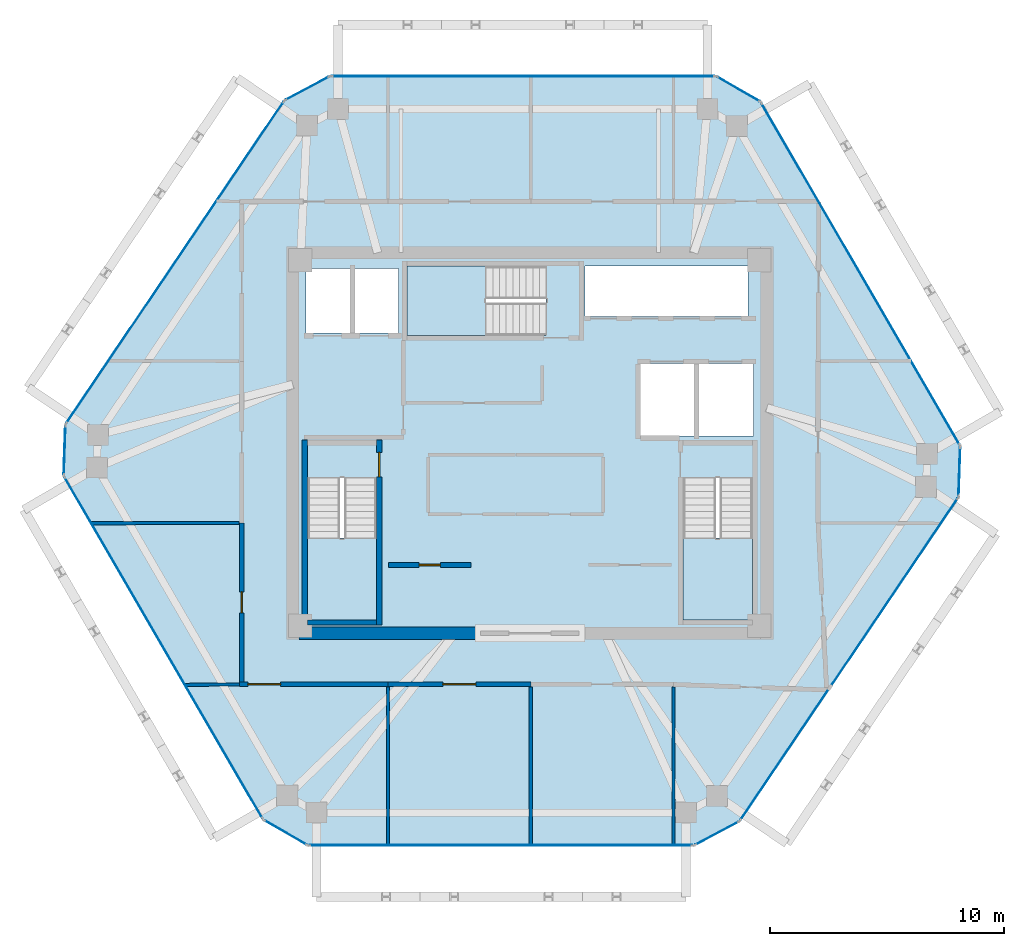
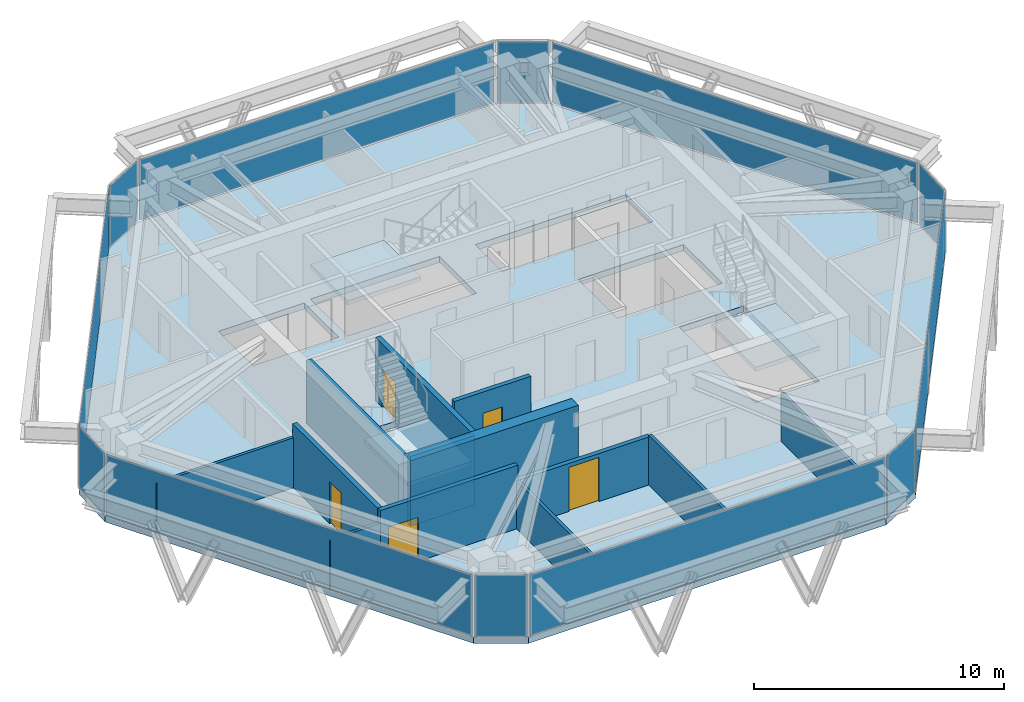
# One storey, part 7 of 11: 13 walls, 12 plates, 5 doors, 4 slabs, 5 openings, 15 elements without a shape of their own.
"""IFC4 building model written with IfcOpenShell, lengths in metres."""

from ifc_helpers import new_model, si_unit, direction, frame, frame_2d, origin, origin_2d, place, context, subcontext, project, spatial, polyline, rectangle, outline, extrude, source, transform, mapped, material, layer, layer_set, type_object, type_shapes, element, fill, aggregate, save


model = new_model("IFC4")

# Units and contexts
model_context = context("Model", 3, precision=1e-05, world=origin(), true_north=direction((0.0, 1.0)))
body_context = subcontext(model_context, "Body", "Model", "MODEL_VIEW")
ifc_project = project(units=[si_unit("LENGTHUNIT", "METRE"), si_unit("AREAUNIT", "SQUARE_METRE"), si_unit("VOLUMEUNIT", "CUBIC_METRE"), si_unit("PLANEANGLEUNIT", "RADIAN"), si_unit("MASSUNIT", "GRAM", prefix="KILO")], contexts=[model_context])

# Site, building, storey
site_placement = place(None, origin())
site = spatial("IfcSite", under=ifc_project, at=site_placement, CompositionType="ELEMENT")
building_placement = place(site_placement, origin())
building = spatial("IfcBuilding", under=site, at=building_placement, Name="Durnholm Broadcast Tower", CompositionType="ELEMENT")
storey_placement = place(building_placement, frame((0.0, 0.0, 264.89990234375)))
storey = spatial("IfcBuildingStorey", under=building, at=storey_placement, Name="L74", CompositionType="ELEMENT", Elevation=264.89990234375)

# Slab
ifc_material_1 = material(Name="Concrete C50/60", Category="concrete")
ifc_layer_1 = layer(ifc_material_1, 0.300048828125)
ifc_layer_set_1 = layer_set([ifc_layer_1], Name="Concrete C50/60")
slab_type_1 = type_object("IfcSlabType", Name="SLAB-FLR-300", PredefinedType="FLOOR", material=ifc_layer_set_1)
slab_1_placement = place(storey_placement, frame((0.0, 0.0, -0.2998046875)))
element("IfcSlab", 1, at=slab_1_placement, inside=storey, type_object=slab_type_1, Name="L74 structural floor slab", PredefinedType="FLOOR", context=body_context, shape_type="SweptSolid", body=[
    extrude(outline(polyline([(-11.384521484375, -16.088134765625), (-9.47802734375, -17.18603515625), (7.012451171875, -17.18603515625), (8.955322265625, -16.154296875), (18.307861328125, -2.3203125), (18.38330078125, -0.12158203125), (9.8603515625, 14.564208984375), (7.9541015625, 15.662109375), (-8.536376953125, 15.662109375), (-10.4794921875, 14.630126953125), (-19.831787109375, 0.79638671875), (-19.9072265625, -1.40234375), (-11.384521484375, -16.088134765625)]), holes=[polyline([(-6.5400390625, -1.5), (-9.5, -1.5), (-9.5, -7.550048828125), (-6.5400390625, -7.550048828125), (-6.5400390625, -1.5)]), polyline([(9.5, -7.550048828125), (9.5, -1.5), (6.5400390625, -1.5), (6.5400390625, -7.550048828125), (9.5, -7.550048828125)]), polyline([(9.550048828125, 3.39990234375), (4.699951171875, 3.39990234375), (4.699951171875, 0.300048828125), (9.550048828125, 0.300048828125), (9.550048828125, 3.39990234375)]), polyline([(-9.550048828125, 7.449951171875), (-9.550048828125, 4.699951171875), (-5.60009765625, 4.699951171875), (-5.60009765625, 7.449951171875), (-9.550048828125, 7.449951171875)]), polyline([(-5.25, 4.60009765625), (0.699951171875, 4.60009765625), (0.699951171875, 7.56005859375), (-5.25, 7.56005859375), (-5.25, 4.60009765625)]), polyline([(9.31005859375, 7.550048828125), (2.35009765625, 7.550048828125), (2.35009765625, 5.39990234375), (9.31005859375, 5.39990234375), (9.31005859375, 7.550048828125)])]), origin(), (0.0, 0.0, 1.0), 0.2998046875),
])

# Stair, slab
stair_type = type_object("IfcStairType", Name="STAIR-DL-20R1700", PredefinedType="HALF_TURN_STAIR", material=ifc_material_1)
stair_1_placement = place(storey_placement, origin())
stair_1 = element("IfcStair", 2, at=stair_1_placement, inside=storey, type_object=stair_type, Name="L74 ST-1", PredefinedType="HALF_TURN_STAIR")
ifc_layer_2 = layer(ifc_material_1, 0.199951171875)
ifc_layer_set_2 = layer_set([ifc_layer_2], Name="Concrete C50/60")
slab_type_2 = type_object("IfcSlabType", Name="SLAB-LND-200", PredefinedType="LANDING", material=ifc_layer_set_2)
slab_2_placement = place(storey_placement, frame((0.0, 0.0, 1.5)))
slab_2 = element("IfcSlab", 3, at=slab_2_placement, type_object=slab_type_2, Name="ST-1 landing 1", PredefinedType="LANDING", context=body_context, shape_type="SweptSolid", body=[
    extrude(outline(polyline([(-9.5, -4.06494140625), (-9.5, -7.550048828125), (-6.5400390625, -7.550048828125), (-6.5400390625, -4.06494140625), (-9.5, -4.06494140625)])), origin(), (0.0, 0.0, 1.0), 0.2001953125),
])
aggregate(stair_1, [slab_2])

stair_2_placement = place(storey_placement, origin())
stair_2 = element("IfcStair", 4, at=stair_2_placement, inside=storey, type_object=stair_type, Name="L74 ST-2", PredefinedType="HALF_TURN_STAIR")
slab_3_placement = place(storey_placement, frame((0.0, 0.0, 1.5)))
slab_3 = element("IfcSlab", 5, at=slab_3_placement, type_object=slab_type_2, Name="ST-2 landing 1", PredefinedType="LANDING", context=body_context, shape_type="SweptSolid", body=[
    extrude(outline(polyline([(6.5400390625, -4.06494140625), (6.5400390625, -7.550048828125), (9.5, -7.550048828125), (9.5, -4.06494140625), (6.5400390625, -4.06494140625)])), origin(), (0.0, 0.0, 1.0), 0.2001953125),
])
aggregate(stair_2, [slab_3])

stair_3_placement = place(storey_placement, origin())
stair_3 = element("IfcStair", 6, at=stair_3_placement, inside=storey, type_object=stair_type, Name="L74 ST-3", PredefinedType="HALF_TURN_STAIR")
slab_4_placement = place(storey_placement, frame((0.0, 0.0, 1.5)))
slab_4 = element("IfcSlab", 7, at=slab_4_placement, type_object=slab_type_2, Name="ST-3 landing 1", PredefinedType="LANDING", context=body_context, shape_type="SweptSolid", body=[
    extrude(outline(polyline([(-1.864990234375, 7.56005859375), (-5.25, 7.56005859375), (-5.25, 4.60009765625), (-1.864990234375, 4.60009765625), (-1.864990234375, 7.56005859375)])), origin(), (0.0, 0.0, 1.0), 0.2001953125),
])
aggregate(stair_3, [slab_4])

# Curtain wall, plate
ifc_material_2 = material(Name="Aluminium and Solar Control IGU", Category="aluminium")
ifc_layer_3 = layer(ifc_material_2, 0.1650390625)
ifc_layer_set_3 = layer_set([ifc_layer_3], Name="Aluminium and Solar Control IGU")
curtain_wall_type_1 = type_object("IfcCurtainWallType", Name="CW-SYS-5", PredefinedType="NOTDEFINED", material=ifc_layer_set_3)
curtain_wall_1_placement = place(storey_placement, origin())
curtain_wall_1 = element("IfcCurtainWall", 8, at=curtain_wall_1_placement, inside=storey, type_object=curtain_wall_type_1, Name="L74 curtain wall CW-CORNER CW-L74-CRN-01", PredefinedType="NOTDEFINED")
ifc_material_3 = material(Name="Low-E Laminated Insulating Glass", Category="glass")
ifc_layer_4 = layer(ifc_material_3, 0.030029296875)
ifc_layer_set_4 = layer_set([ifc_layer_4], Name="Low-E Laminated Insulating Glass")
plate_type_1 = type_object("IfcPlateType", Name="CW-SYS-5-PNL", PredefinedType="CURTAIN_PANEL", material=ifc_layer_set_4)
shared_shape_1 = source(origin(), body_context, "Body", "SweptSolid", [
    extrude(rectangle(XDim=2.070068359375, YDim=0.030029296875, at=origin_2d()), origin(), (0.0, 0.0, 1.0), 2.969970703125),
])
plate_1_placement = place(storey_placement, frame((-19.86962890625, -0.302978515625, 0.06494140625), z_axis=(0.0, 0.0, 1.0), x_axis=(0.034318245849, 0.999410955514, 0.0)))
plate_1 = element("IfcPlate", 9, at=plate_1_placement, type_object=plate_type_1, Name="CW-CORNER panel 1.1", PredefinedType="CURTAIN_PANEL", context=body_context, shape_type="MappedRepresentation", body=[
    mapped(shared_shape_1, transform((0.0, 0.0, 0.0), x_axis=(1.0, 0.0, 0.0), y_axis=(0.0, 1.0, 0.0), z_axis=(0.0, 0.0, 1.0), scale=1.0)),
])
aggregate(curtain_wall_1, [plate_1])

curtain_wall_2_placement = place(storey_placement, origin())
curtain_wall_2 = element("IfcCurtainWall", 10, at=curtain_wall_2_placement, inside=storey, type_object=curtain_wall_type_1, Name="L74 curtain wall CW-CORNER CW-L74-CRN-03", PredefinedType="NOTDEFINED")
plate_2_placement = place(storey_placement, frame((-9.5078125, 15.14599609375, 0.06494140625), z_axis=(0.0, 0.0, 1.0), x_axis=(0.883194569853, 0.469006771575, 0.0)))
plate_2 = element("IfcPlate", 11, at=plate_2_placement, type_object=plate_type_1, Name="CW-CORNER panel 1.1", PredefinedType="CURTAIN_PANEL", context=body_context, shape_type="MappedRepresentation", body=[
    mapped(shared_shape_1, transform((0.0, 0.0, 0.0), x_axis=(1.0, 0.0, 0.0), y_axis=(0.0, 1.0, 0.0), z_axis=(0.0, 0.0, 1.0), scale=1.0)),
])
aggregate(curtain_wall_2, [plate_2])

curtain_wall_3_placement = place(storey_placement, origin())
curtain_wall_3 = element("IfcCurtainWall", 12, at=curtain_wall_3_placement, inside=storey, type_object=curtain_wall_type_1, Name="L74 curtain wall CW-CORNER CW-L74-CRN-07", PredefinedType="NOTDEFINED")
plate_3_placement = place(storey_placement, frame((18.345458984375, -1.220947265625, 0.06494140625), z_axis=(0.0, 0.0, 1.0), x_axis=(-0.034318245849, -0.999410955514, 0.0)))
plate_3 = element("IfcPlate", 13, at=plate_3_placement, type_object=plate_type_1, Name="CW-CORNER panel 1.1", PredefinedType="CURTAIN_PANEL", context=body_context, shape_type="MappedRepresentation", body=[
    mapped(shared_shape_1, transform((0.0, 0.0, 0.0), x_axis=(1.0, 0.0, 0.0), y_axis=(0.0, 1.0, 0.0), z_axis=(0.0, 0.0, 1.0), scale=1.0)),
])
aggregate(curtain_wall_3, [plate_3])

curtain_wall_4_placement = place(storey_placement, origin())
curtain_wall_4 = element("IfcCurtainWall", 14, at=curtain_wall_4_placement, inside=storey, type_object=curtain_wall_type_1, Name="L74 curtain wall CW-CORNER CW-L74-CRN-09", PredefinedType="NOTDEFINED")
plate_4_placement = place(storey_placement, frame((7.98388671875, -16.670166015625, 0.06494140625), z_axis=(0.0, 0.0, 1.0), x_axis=(-0.883194569853, -0.469006771575, 0.0)))
plate_4 = element("IfcPlate", 15, at=plate_4_placement, type_object=plate_type_1, Name="CW-CORNER panel 1.1", PredefinedType="CURTAIN_PANEL", context=body_context, shape_type="MappedRepresentation", body=[
    mapped(shared_shape_1, transform((0.0, 0.0, 0.0), x_axis=(1.0, 0.0, 0.0), y_axis=(0.0, 1.0, 0.0), z_axis=(0.0, 0.0, 1.0), scale=1.0)),
])
aggregate(curtain_wall_4, [plate_4])

ifc_layer_5 = layer(ifc_material_2, 0.18994140625)
ifc_layer_set_5 = layer_set([ifc_layer_5], Name="Aluminium and Solar Control IGU")
curtain_wall_type_2 = type_object("IfcCurtainWallType", Name="CW-SYS-4", PredefinedType="NOTDEFINED", material=ifc_layer_set_5)
curtain_wall_5_placement = place(storey_placement, origin())
curtain_wall_5 = element("IfcCurtainWall", 16, at=curtain_wall_5_placement, inside=storey, type_object=curtain_wall_type_2, Name="L74 curtain wall CW-Z34-VIS CW-L74-F02", PredefinedType="NOTDEFINED")
ifc_layer_6 = layer(ifc_material_3, 0.033935546875)
ifc_layer_set_6 = layer_set([ifc_layer_6], Name="Low-E Laminated Insulating Glass")
plate_type_2 = type_object("IfcPlateType", Name="CW-SYS-4-PNL", PredefinedType="CURTAIN_PANEL", material=ifc_layer_set_6)
shared_shape_2 = source(origin(), body_context, "Body", "SweptSolid", [
    extrude(rectangle(XDim=16.55859375, YDim=0.033935546875, at=origin_2d()), origin(), (0.0, 0.0, 1.0), 2.9599609375),
])
plate_5_placement = place(storey_placement, frame((-15.155517578125, 7.71337890625, 0.070068359375), z_axis=(0.0, 0.0, 1.0), x_axis=(0.560072745753, 0.828443431662, 0.0)))
plate_5 = element("IfcPlate", 17, at=plate_5_placement, type_object=plate_type_2, Name="CW-Z34-VIS panel 1.1", PredefinedType="CURTAIN_PANEL", context=body_context, shape_type="MappedRepresentation", body=[
    mapped(shared_shape_2, transform((0.0, 0.0, 0.0), x_axis=(1.0, 0.0, 0.0), y_axis=(0.0, 1.0, 0.0), z_axis=(0.0, 0.0, 1.0), scale=1.0)),
])
aggregate(curtain_wall_5, [plate_5])

curtain_wall_6_placement = place(storey_placement, origin())
curtain_wall_6 = element("IfcCurtainWall", 18, at=curtain_wall_6_placement, inside=storey, type_object=curtain_wall_type_2, Name="L74 curtain wall CW-Z34-VIS CW-L74-F08", PredefinedType="NOTDEFINED")
plate_6_placement = place(storey_placement, frame((13.631591796875, -9.2373046875, 0.070068359375), z_axis=(0.0, 0.0, 1.0), x_axis=(-0.560072745753, -0.828443431662, 0.0)))
plate_6 = element("IfcPlate", 19, at=plate_6_placement, type_object=plate_type_2, Name="CW-Z34-VIS panel 1.1", PredefinedType="CURTAIN_PANEL", context=body_context, shape_type="MappedRepresentation", body=[
    mapped(shared_shape_2, transform((0.0, 0.0, 0.0), x_axis=(1.0, 0.0, 0.0), y_axis=(0.0, 1.0, 0.0), z_axis=(0.0, 0.0, 1.0), scale=1.0)),
])
aggregate(curtain_wall_6, [plate_6])

curtain_wall_7_placement = place(storey_placement, origin())
curtain_wall_7 = element("IfcCurtainWall", 20, at=curtain_wall_7_placement, inside=storey, type_object=curtain_wall_type_2, Name="L74 curtain wall CW-Z34-VIS CW-L74-F04", PredefinedType="NOTDEFINED")
shared_shape_3 = source(origin(), body_context, "Body", "SweptSolid", [
    extrude(rectangle(XDim=16.350341796875, YDim=0.033935546875, at=origin_2d()), origin(), (0.0, 0.0, 1.0), 2.9599609375),
])
plate_7_placement = place(storey_placement, frame((-0.291259765625, 15.662109375, 0.070068359375), z_axis=(0.0, 0.0, 1.0), x_axis=(1.0, 0.0, 0.0)))
plate_7 = element("IfcPlate", 21, at=plate_7_placement, type_object=plate_type_2, Name="CW-Z34-VIS panel 1.1", PredefinedType="CURTAIN_PANEL", context=body_context, shape_type="MappedRepresentation", body=[
    mapped(shared_shape_3, transform((0.0, 0.0, 0.0), x_axis=(1.0, 0.0, 0.0), y_axis=(0.0, 1.0, 0.0), z_axis=(0.0, 0.0, 1.0), scale=1.0)),
])
aggregate(curtain_wall_7, [plate_7])

curtain_wall_8_placement = place(storey_placement, origin())
curtain_wall_8 = element("IfcCurtainWall", 22, at=curtain_wall_8_placement, inside=storey, type_object=curtain_wall_type_2, Name="L74 curtain wall CW-Z34-VIS CW-L74-F10", PredefinedType="NOTDEFINED")
plate_8_placement = place(storey_placement, frame((-1.23291015625, -17.18603515625, 0.070068359375), z_axis=(0.0, 0.0, 1.0), x_axis=(-1.0, 0.0, 0.0)))
plate_8 = element("IfcPlate", 23, at=plate_8_placement, type_object=plate_type_2, Name="CW-Z34-VIS panel 1.1", PredefinedType="CURTAIN_PANEL", context=body_context, shape_type="MappedRepresentation", body=[
    mapped(shared_shape_3, transform((0.0, 0.0, 0.0), x_axis=(1.0, 0.0, 0.0), y_axis=(0.0, 1.0, 0.0), z_axis=(0.0, 0.0, 1.0), scale=1.0)),
])
aggregate(curtain_wall_8, [plate_8])

curtain_wall_9_placement = place(storey_placement, origin())
curtain_wall_9 = element("IfcCurtainWall", 24, at=curtain_wall_9_placement, inside=storey, type_object=curtain_wall_type_1, Name="L74 curtain wall CW-CORNER CW-L74-CRN-05", PredefinedType="NOTDEFINED")
shared_shape_4 = source(origin(), body_context, "Body", "SweptSolid", [
    extrude(rectangle(XDim=2.06982421875, YDim=0.030029296875, at=origin_2d()), origin(), (0.0, 0.0, 1.0), 2.969970703125),
])
type_shapes(plate_type_1, [shared_shape_1, shared_shape_4])
plate_9_placement = place(storey_placement, frame((8.9072265625, 15.113037109375, 0.06494140625), z_axis=(0.0, 0.0, 1.0), x_axis=(0.866568249707, -0.499058582333, 0.0)))
plate_9 = element("IfcPlate", 25, at=plate_9_placement, type_object=plate_type_1, Name="CW-CORNER panel 1.1", PredefinedType="CURTAIN_PANEL", context=body_context, shape_type="MappedRepresentation", body=[
    mapped(shared_shape_4, transform((0.0, 0.0, 0.0), x_axis=(1.0, 0.0, 0.0), y_axis=(0.0, 1.0, 0.0), z_axis=(0.0, 0.0, 1.0), scale=1.0)),
])
aggregate(curtain_wall_9, [plate_9])

curtain_wall_10_placement = place(storey_placement, origin())
curtain_wall_10 = element("IfcCurtainWall", 26, at=curtain_wall_10_placement, inside=storey, type_object=curtain_wall_type_1, Name="L74 curtain wall CW-CORNER CW-L74-CRN-11", PredefinedType="NOTDEFINED")
plate_10_placement = place(storey_placement, frame((-10.43115234375, -16.636962890625, 0.06494140625), z_axis=(0.0, 0.0, 1.0), x_axis=(-0.866568249707, 0.499058582333, 0.0)))
plate_10 = element("IfcPlate", 27, at=plate_10_placement, type_object=plate_type_1, Name="CW-CORNER panel 1.1", PredefinedType="CURTAIN_PANEL", context=body_context, shape_type="MappedRepresentation", body=[
    mapped(shared_shape_4, transform((0.0, 0.0, 0.0), x_axis=(1.0, 0.0, 0.0), y_axis=(0.0, 1.0, 0.0), z_axis=(0.0, 0.0, 1.0), scale=1.0)),
])
aggregate(curtain_wall_10, [plate_10])

curtain_wall_11_placement = place(storey_placement, origin())
curtain_wall_11 = element("IfcCurtainWall", 28, at=curtain_wall_11_placement, inside=storey, type_object=curtain_wall_type_2, Name="L74 curtain wall CW-Z34-VIS CW-L74-F06", PredefinedType="NOTDEFINED")
shared_shape_5 = source(origin(), body_context, "Body", "SweptSolid", [
    extrude(rectangle(XDim=16.83984375, YDim=0.033935546875, at=origin_2d()), origin(), (0.0, 0.0, 1.0), 2.9599609375),
])
type_shapes(plate_type_2, [shared_shape_2, shared_shape_3, shared_shape_5])
plate_11_placement = place(storey_placement, frame((14.121826171875, 7.22119140625, 0.070068359375), z_axis=(0.0, 0.0, 1.0), x_axis=(0.50194441023, -0.864899883824, 0.0)))
plate_11 = element("IfcPlate", 29, at=plate_11_placement, type_object=plate_type_2, Name="CW-Z34-VIS panel 1.1", PredefinedType="CURTAIN_PANEL", context=body_context, shape_type="MappedRepresentation", body=[
    mapped(shared_shape_5, transform((0.0, 0.0, 0.0), x_axis=(1.0, 0.0, 0.0), y_axis=(0.0, 1.0, 0.0), z_axis=(0.0, 0.0, 1.0), scale=1.0)),
])
aggregate(curtain_wall_11, [plate_11])

curtain_wall_12_placement = place(storey_placement, origin())
curtain_wall_12 = element("IfcCurtainWall", 30, at=curtain_wall_12_placement, inside=storey, type_object=curtain_wall_type_2, Name="L74 curtain wall CW-Z34-VIS CW-L74-F12", PredefinedType="NOTDEFINED")
plate_12_placement = place(storey_placement, frame((-15.645751953125, -8.7451171875, 0.070068359375), z_axis=(0.0, 0.0, 1.0), x_axis=(-0.50194441023, 0.864899883824, 0.0)))
plate_12 = element("IfcPlate", 31, at=plate_12_placement, type_object=plate_type_2, Name="CW-Z34-VIS panel 1.1", PredefinedType="CURTAIN_PANEL", context=body_context, shape_type="MappedRepresentation", body=[
    mapped(shared_shape_5, transform((0.0, 0.0, 0.0), x_axis=(1.0, 0.0, 0.0), y_axis=(0.0, 1.0, 0.0), z_axis=(0.0, 0.0, 1.0), scale=1.0)),
])
aggregate(curtain_wall_12, [plate_12])

# Wall
ifc_material_4 = material(Name="Concrete C70/85", Category="concrete")
ifc_layer_7 = layer(ifc_material_4, 0.550048828125)
ifc_layer_set_7 = layer_set([ifc_layer_7], Name="Concrete C70/85")
wall_type_1 = type_object("IfcWallType", Name="WALL-CW-550", PredefinedType="SHEAR", material=ifc_layer_set_7)
wall_1_placement = place(storey_placement, frame((-9.85009765625, -8.125, 0.0), z_axis=(0.0, 0.0, 1.0), x_axis=(1.0, 0.0, 0.0)))
element("IfcWall", 32, at=wall_1_placement, inside=storey, type_object=wall_type_1, Name="L74 central core shear wall CW-S1", PredefinedType="SHEAR", context=body_context, shape_type="SweptSolid", body=[
    extrude(rectangle(XDim=7.75, YDim=0.550048828125, at=frame_2d((3.875, 0.0))), origin(), (0.0, 0.0, 1.0), 3.400146484375),
])

# Wall, opening, door
ifc_material_5 = material(Name="Fire-Rated Gypsum Shaftwall", Category="concrete")
ifc_layer_8 = layer(ifc_material_5, 0.199951171875)
ifc_layer_set_8 = layer_set([ifc_layer_8], Name="Fire-Rated Gypsum Shaftwall")
wall_type_2 = type_object("IfcWallType", Name="WALL-LOB-200", PredefinedType="SOLIDWALL", material=ifc_layer_set_8)
wall_2_placement = place(storey_placement, frame((-6.0400390625, -5.2099609375, 0.0), z_axis=(0.0, 0.0, 1.0), x_axis=(1.0, 0.0, 0.0)))
wall_2 = element("IfcWall", 33, at=wall_2_placement, inside=storey, type_object=wall_type_2, Name="L74 Broadcast Signal Rack Room corridor partition", PredefinedType="SOLIDWALL", context=body_context, shape_type="SweptSolid", body=[
    extrude(rectangle(XDim=3.530029296875, YDim=0.199951171875, at=frame_2d((1.76513671875, 0.0))), origin(), (0.0, 0.0, 1.0), 3.085205078125),
])
opening_1_placement = place(wall_2_placement, frame((1.31494140625, 0.0, 0.0)))
opening_1 = element("IfcOpeningElement", 34, at=opening_1_placement, cuts=wall_2, Name="Opening DC-60R", PredefinedType="OPENING", context=body_context, shape_type="SweptSolid", body=[
    extrude(rectangle(XDim=0.89990234375, YDim=2.050048828125, at=frame_2d((0.449951171875, 1.02490234375))), frame((0.0, 0.10986328125, 0.0), z_axis=(0.0, -1.0, 0.0), x_axis=(1.0, 0.0, 0.0)), (0.0, 0.0, 1.0), 0.219970703125),
])
ifc_material_6 = material(Name="Fire-Rated Core Service Door", Category="steel")
ifc_layer_9 = layer(ifc_material_6, 0.050048828125)
ifc_layer_set_9 = layer_set([ifc_layer_9], Name="Fire-Rated Core Service Door")
door_type_1 = type_object("IfcDoorType", Name="DOOR-CORE-FD60-R", OperationType="NOTDEFINED", PredefinedType="DOOR", material=ifc_layer_set_9)
shared_shape_6 = source(origin(), body_context, "Body", "SweptSolid", [
    extrude(rectangle(XDim=0.89990234375, YDim=2.050048828125, at=frame_2d((0.449951171875, 1.02490234375))), frame((0.0, 0.02490234375, 0.0), z_axis=(0.0, -1.0, 0.0), x_axis=(1.0, 0.0, 0.0)), (0.0, 0.0, 1.0), 0.050048828125),
])
type_shapes(door_type_1, [shared_shape_6])
door_1_placement = place(opening_1_placement, origin())
door_1 = element("IfcDoor", 35, at=door_1_placement, inside=storey, type_object=door_type_1, Name="L74 Broadcast Signal Rack Room entrance door", OperationType="SINGLE_SWING_RIGHT", OverallHeight=2.050048828125, OverallWidth=0.89990234375, PredefinedType="DOOR", context=body_context, shape_type="MappedRepresentation", body=[
    mapped(shared_shape_6, transform((0.0, 0.0, 0.0), x_axis=(1.0, 0.0, 0.0), y_axis=(0.0, 1.0, 0.0), z_axis=(0.0, 0.0, 1.0), scale=1.0)),
])
fill(opening_1, door_1)

wall_3_placement = place(storey_placement, frame((-12.389892578125, -10.31005859375, 0.0), z_axis=(0.0, 0.0, 1.0), x_axis=(1.0, 0.0, 0.0)))
wall_3 = element("IfcWall", 36, at=wall_3_placement, inside=storey, type_object=wall_type_2, Name="L74 L74 West Pressurized Refuge Area corridor partition", PredefinedType="SOLIDWALL", context=body_context, shape_type="SweptSolid", body=[
    extrude(rectangle(XDim=6.329833984375, YDim=0.199951171875, at=frame_2d((3.1650390625, 0.0))), origin(), (0.0, 0.0, 1.0), 3.085205078125),
])
opening_2_placement = place(wall_3_placement, frame((0.35009765625, 0.0, 0.0)))
opening_2 = element("IfcOpeningElement", 37, at=opening_2_placement, cuts=wall_3, Name="Opening DPL-140", PredefinedType="OPENING", context=body_context, shape_type="SweptSolid", body=[
    extrude(rectangle(XDim=1.39990234375, YDim=2.14990234375, at=frame_2d((0.699951171875, 1.074951171875))), frame((0.0, 0.10986328125, 0.0), z_axis=(0.0, -1.0, 0.0), x_axis=(1.0, 0.0, 0.0)), (0.0, 0.0, 1.0), 0.219970703125),
])
ifc_material_7 = material(Name="Fire-Rated Mechanical Plant Double Door", Category="steel")
ifc_layer_10 = layer(ifc_material_7, 0.050048828125)
ifc_layer_set_10 = layer_set([ifc_layer_10], Name="Fire-Rated Mechanical Plant Double Door")
door_type_2 = type_object("IfcDoorType", Name="DOOR-PLNT-1400", OperationType="DOUBLE_DOOR_SINGLE_SWING", PredefinedType="DOOR", material=ifc_layer_set_10)
shared_shape_7 = source(origin(), body_context, "Body", "SweptSolid", [
    extrude(rectangle(XDim=1.39990234375, YDim=2.14990234375, at=frame_2d((0.699951171875, 1.074951171875))), frame((0.0, 0.02490234375, 0.0), z_axis=(0.0, -1.0, 0.0), x_axis=(1.0, 0.0, 0.0)), (0.0, 0.0, 1.0), 0.050048828125),
])
type_shapes(door_type_2, [shared_shape_7])
door_2_placement = place(opening_2_placement, origin())
door_2 = element("IfcDoor", 38, at=door_2_placement, inside=storey, type_object=door_type_2, Name="L74 L74 West Pressurized Refuge Area entrance door", OperationType="DOUBLE_DOOR_SINGLE_SWING", OverallHeight=2.14990234375, OverallWidth=1.39990234375, PredefinedType="DOOR", context=body_context, shape_type="MappedRepresentation", body=[
    mapped(shared_shape_7, transform((0.0, 0.0, 0.0), x_axis=(1.0, 0.0, 0.0), y_axis=(0.0, 1.0, 0.0), z_axis=(0.0, 0.0, 1.0), scale=1.0)),
])
fill(opening_2, door_2)

wall_4_placement = place(storey_placement, frame((-6.06005859375, -10.31005859375, 0.0), z_axis=(0.0, 0.0, 1.0), x_axis=(1.0, 0.0, 0.0)))
wall_4 = element("IfcWall", 39, at=wall_4_placement, inside=storey, type_object=wall_type_2, Name="L74 L74 South Pressurized Refuge Area corridor partition", PredefinedType="SOLIDWALL", context=body_context, shape_type="SweptSolid", body=[
    extrude(rectangle(XDim=6.10009765625, YDim=0.199951171875, at=frame_2d((3.050048828125, 0.0))), origin(), (0.0, 0.0, 1.0), 2.341552734375),
])
opening_3_placement = place(wall_4_placement, frame((2.35009765625, 0.0, 0.0)))
opening_3 = element("IfcOpeningElement", 40, at=opening_3_placement, cuts=wall_4, Name="Opening DPL-140", PredefinedType="OPENING", context=body_context, shape_type="SweptSolid", body=[
    extrude(rectangle(XDim=1.39990234375, YDim=2.14990234375, at=frame_2d((0.699951171875, 1.074951171875))), frame((0.0, 0.10986328125, 0.0), z_axis=(0.0, -1.0, 0.0), x_axis=(1.0, 0.0, 0.0)), (0.0, 0.0, 1.0), 0.219970703125),
])
door_3_placement = place(opening_3_placement, origin())
door_3 = element("IfcDoor", 41, at=door_3_placement, inside=storey, type_object=door_type_2, Name="L74 L74 South Pressurized Refuge Area entrance door", OperationType="DOUBLE_DOOR_SINGLE_SWING", OverallHeight=2.14990234375, OverallWidth=1.39990234375, PredefinedType="DOOR", context=body_context, shape_type="MappedRepresentation", body=[
    mapped(shared_shape_7, transform((0.0, 0.0, 0.0), x_axis=(1.0, 0.0, 0.0), y_axis=(0.0, 1.0, 0.0), z_axis=(0.0, 0.0, 1.0), scale=1.0)),
])
fill(opening_3, door_3)

wall_5_placement = place(storey_placement, frame((-12.31005859375, -3.409912109375, 0.0), z_axis=(0.0, 0.0, 1.0), x_axis=(0.0, -1.0, 0.0)))
wall_5 = element("IfcWall", 42, at=wall_5_placement, inside=storey, type_object=wall_type_2, Name="L74 Mechanical Plant Room - Electrical Switchgear West corridor partition", PredefinedType="SOLIDWALL", context=body_context, shape_type="SweptSolid", body=[
    extrude(rectangle(XDim=6.796142578125, YDim=0.199951171875, at=frame_2d((3.39794921875, 0.0))), origin(), (0.0, 0.0, 1.0), 3.085205078125),
])
opening_4_placement = place(wall_5_placement, frame((2.947998046875, 0.0, 0.0)))
opening_4 = element("IfcOpeningElement", 43, at=opening_4_placement, cuts=wall_5, Name="Opening DC-60R", PredefinedType="OPENING", context=body_context, shape_type="SweptSolid", body=[
    extrude(rectangle(XDim=0.89990234375, YDim=2.050048828125, at=frame_2d((0.449951171875, 1.02490234375))), frame((0.0, 0.10986328125, 0.0), z_axis=(0.0, -1.0, 0.0), x_axis=(1.0, 0.0, 0.0)), (0.0, 0.0, 1.0), 0.219970703125),
])
door_4_placement = place(opening_4_placement, origin())
door_4 = element("IfcDoor", 44, at=door_4_placement, inside=storey, type_object=door_type_1, Name="L74 Mechanical Plant Room - Electrical Switchgear West entrance door", OperationType="SINGLE_SWING_RIGHT", OverallHeight=2.050048828125, OverallWidth=0.89990234375, PredefinedType="DOOR", context=body_context, shape_type="MappedRepresentation", body=[
    mapped(shared_shape_6, transform((0.0, 0.0, 0.0), x_axis=(1.0, 0.0, 0.0), y_axis=(0.0, 1.0, 0.0), z_axis=(0.0, 0.0, 1.0), scale=1.0)),
])
fill(opening_4, door_4)

# Walls
ifc_material_8 = material(Name="Gypsum Metal Stud Partition", Category="concrete")
ifc_layer_11 = layer(ifc_material_8, 0.135009765625)
ifc_layer_set_11 = layer_set([ifc_layer_11], Name="Gypsum Metal Stud Partition")
wall_type_3 = type_object("IfcWallType", Name="WALL-PART-135", PredefinedType="PARTITIONING", material=ifc_layer_set_11)
wall_6_placement = place(storey_placement, frame((-6.06005859375, -10.4140625, 0.0), z_axis=(0.0, 0.0, 1.0), x_axis=(0.0, -1.0, 0.0)))
element("IfcWall", 45, at=wall_6_placement, inside=storey, type_object=wall_type_3, Name="L74 room dividing partition 10.11", PredefinedType="PARTITIONING", context=body_context, shape_type="SweptSolid", body=[
    extrude(rectangle(XDim=6.77197265625, YDim=0.135009765625, at=frame_2d((3.385986328125, 0.0))), origin(), (0.0, 0.0, 1.0), 2.341552734375),
])
wall_7_placement = place(storey_placement, frame((-14.72607421875, -10.330078125, 0.0), z_axis=(0.0, 0.0, 1.0), x_axis=(0.99996592241, 0.008255544766, 0.0)))
element("IfcWall", 46, at=wall_7_placement, inside=storey, type_object=wall_type_3, Name="L74 room dividing partition 10.17", PredefinedType="PARTITIONING", context=body_context, shape_type="SweptSolid", body=[
    extrude(rectangle(XDim=2.336181640625, YDim=0.135009765625, at=frame_2d((1.16796875, 0.0))), origin(), (0.0, 0.0, 1.0), 2.43896484375),
])
wall_8_placement = place(storey_placement, frame((0.0400390625, -10.4140625, 0.0), z_axis=(0.0, 0.0, 1.0), x_axis=(0.0, -1.0, 0.0)))
element("IfcWall", 47, at=wall_8_placement, inside=storey, type_object=wall_type_3, Name="L74 room dividing partition 11.12", PredefinedType="PARTITIONING", context=body_context, shape_type="SweptSolid", body=[
    extrude(rectangle(XDim=6.77197265625, YDim=0.135009765625, at=frame_2d((3.385986328125, 0.0))), origin(), (0.0, 0.0, 1.0), 2.43896484375),
])
wall_9_placement = place(storey_placement, frame((6.139892578125, -10.4169921875, 0.0), z_axis=(0.0, 0.0, 1.0), x_axis=(0.0, -1.0, 0.0)))
element("IfcWall", 48, at=wall_9_placement, inside=storey, type_object=wall_type_3, Name="L74 room dividing partition 12.13", PredefinedType="PARTITIONING", context=body_context, shape_type="SweptSolid", body=[
    extrude(rectangle(XDim=6.76904296875, YDim=0.135009765625, at=frame_2d((3.384521484375, 0.0))), origin(), (0.0, 0.0, 1.0), 2.341552734375),
])
wall_10_placement = place(storey_placement, frame((-18.73046875, -3.43017578125, 0.0), z_axis=(0.0, 0.0, 1.0), x_axis=(0.999995099089, 0.00313078243, 0.0)))
element("IfcWall", 49, at=wall_10_placement, inside=storey, type_object=wall_type_3, Name="L74 room dividing partition 17.18", PredefinedType="PARTITIONING", context=body_context, shape_type="SweptSolid", body=[
    extrude(rectangle(XDim=6.31640625, YDim=0.135009765625, at=frame_2d((3.158203125, 0.0))), origin(), (0.0, 0.0, 1.0), 2.43896484375),
])

# Wall, opening, door
ifc_layer_12 = layer(ifc_material_1, 0.219970703125)
ifc_layer_set_12 = layer_set([ifc_layer_12], Name="Concrete C50/60")
wall_type_4 = type_object("IfcWallType", Name="WALL-SW-220", PredefinedType="SHEAR", material=ifc_layer_set_12)
wall_11_placement = place(storey_placement, frame((-6.429931640625, -7.77001953125, -0.2998046875), z_axis=(0.0, 0.0, 1.0), x_axis=(0.0, 1.0, 0.0)))
wall_11 = element("IfcWall", 50, at=wall_11_placement, inside=storey, type_object=wall_type_4, Name="L74 stair ST-1 structural shaft wall E", PredefinedType="SHEAR", context=body_context, shape_type="SweptSolid", body=[
    extrude(rectangle(XDim=7.89013671875, YDim=0.219970703125, at=frame_2d((3.945068359375, 0.0))), origin(), (0.0, 0.0, 1.0), 3.39990234375),
])
opening_5_placement = place(wall_11_placement, frame((6.320068359375, 0.0, 0.0)))
opening_5 = element("IfcOpeningElement", 51, at=opening_5_placement, cuts=wall_11, Name="Opening DS-90L", PredefinedType="OPENING", context=body_context, shape_type="SweptSolid", body=[
    extrude(rectangle(XDim=1.050048828125, YDim=2.14990234375, at=frame_2d((0.52490234375, 1.074951171875))), frame((0.0, 0.1201171875, 0.0), z_axis=(0.0, -1.0, 0.0), x_axis=(1.0, 0.0, 0.0)), (0.0, 0.0, 1.0), 0.239990234375),
])
ifc_material_9 = material(Name="Fire-Rated Steel Door", Category="steel")
ifc_layer_13 = layer(ifc_material_9, 0.050048828125)
ifc_layer_set_13 = layer_set([ifc_layer_13], Name="Fire-Rated Steel Door")
door_type_3 = type_object("IfcDoorType", Name="DOOR-ST-FD90-L", OperationType="NOTDEFINED", PredefinedType="DOOR", material=ifc_layer_set_13)
shared_shape_8 = source(origin(), body_context, "Body", "SweptSolid", [
    extrude(rectangle(XDim=1.050048828125, YDim=2.14990234375, at=frame_2d((0.52490234375, 1.074951171875))), frame((0.0, 0.02490234375, 0.0), z_axis=(0.0, -1.0, 0.0), x_axis=(1.0, 0.0, 0.0)), (0.0, 0.0, 1.0), 0.050048828125),
])
type_shapes(door_type_3, [shared_shape_8])
door_5_placement = place(opening_5_placement, origin())
door_5 = element("IfcDoor", 52, at=door_5_placement, inside=storey, type_object=door_type_3, Name="L74 exit stair ST-1 fire door", OperationType="SINGLE_SWING_LEFT", OverallHeight=2.14990234375, OverallWidth=1.050048828125, PredefinedType="DOOR", context=body_context, shape_type="MappedRepresentation", body=[
    mapped(shared_shape_8, transform((0.0, 0.0, 0.0), x_axis=(1.0, 0.0, 0.0), y_axis=(0.0, 1.0, 0.0), z_axis=(0.0, 0.0, 1.0), scale=1.0)),
])
fill(opening_5, door_5)

# Walls
wall_12_placement = place(storey_placement, frame((-9.610107421875, 0.1201171875, -0.2998046875), z_axis=(0.0, 0.0, 1.0), x_axis=(0.0, -1.0, 0.0)))
element("IfcWall", 53, at=wall_12_placement, inside=storey, type_object=wall_type_4, Name="L74 stair ST-1 structural shaft wall W", PredefinedType="SHEAR", context=body_context, shape_type="SweptSolid", body=[
    extrude(rectangle(XDim=7.89013671875, YDim=0.219970703125, at=frame_2d((3.945068359375, 0.0))), origin(), (0.0, 0.0, 1.0), 3.39990234375),
])
wall_13_placement = place(storey_placement, frame((-9.5, -7.659912109375, -0.2998046875), z_axis=(0.0, 0.0, 1.0), x_axis=(1.0, 0.0, 0.0)))
element("IfcWall", 54, at=wall_13_placement, inside=storey, type_object=wall_type_4, Name="L74 stair ST-1 structural shaft wall S", PredefinedType="SHEAR", context=body_context, shape_type="SweptSolid", body=[
    extrude(rectangle(XDim=2.9599609375, YDim=0.219970703125, at=frame_2d((1.47998046875, 0.0))), origin(), (0.0, 0.0, 1.0), 3.39990234375),
])

save(model, "model.ifc")
